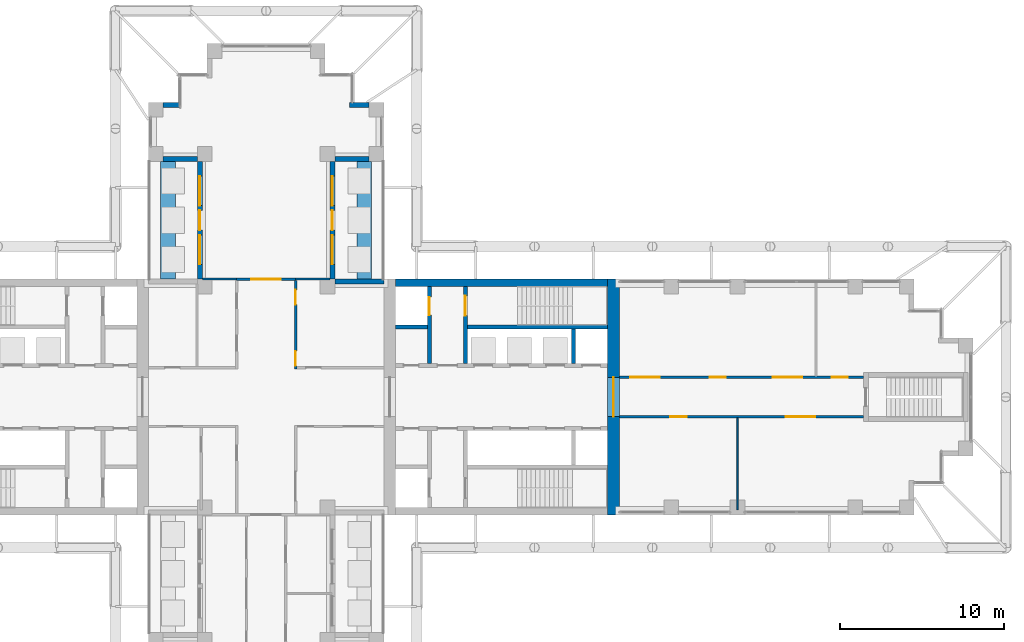
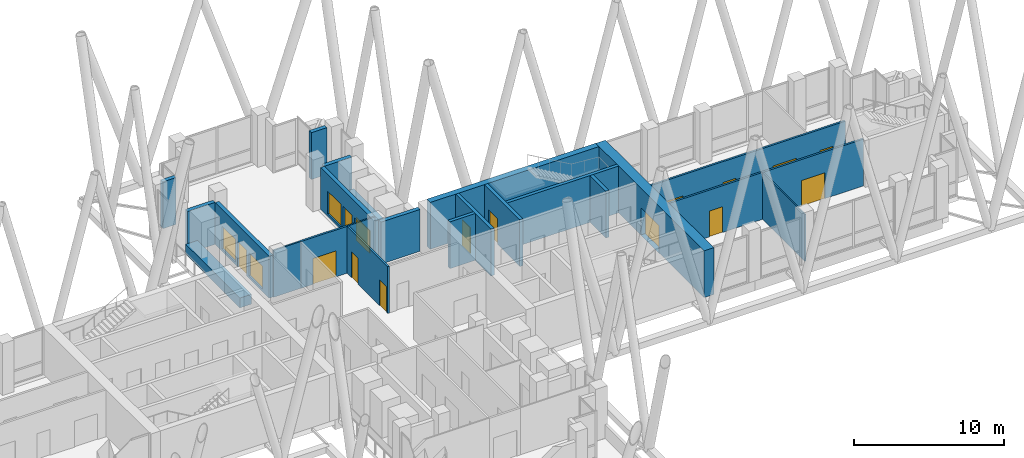
# One storey, part 17 of 22: 23 walls, 14 doors, 4 windows, 18 openings.
"""IFC4 building model written with IfcOpenShell, lengths in metres."""

from ifc_helpers import new_model, si_unit, direction, frame, frame_2d, origin, place, context, subcontext, project, spatial, rectangle, extrude, material, layer, layer_set, type_object, element, fill, save


model = new_model("IFC4")

# Units and contexts
model_context = context("Model", 3, precision=1e-05, world=origin(), true_north=direction((0.0, 1.0)))
body_context = subcontext(model_context, "Body", "Model", "MODEL_VIEW")
ifc_project = project(units=[si_unit("LENGTHUNIT", "METRE"), si_unit("AREAUNIT", "SQUARE_METRE"), si_unit("VOLUMEUNIT", "CUBIC_METRE"), si_unit("PLANEANGLEUNIT", "RADIAN"), si_unit("MASSUNIT", "GRAM", prefix="KILO")], contexts=[model_context])

# Site, building, storey
site_placement = place(None, origin())
site = spatial("IfcSite", under=ifc_project, at=site_placement, CompositionType="ELEMENT")
building_placement = place(site_placement, origin())
building = spatial("IfcBuilding", under=site, at=building_placement, Name="Fustian Cross Tower", CompositionType="ELEMENT")
storey_placement = place(building_placement, frame((0.0, 0.0, 116.10009765625)))
storey = spatial("IfcBuildingStorey", under=building, at=storey_placement, Name="L36", CompositionType="ELEMENT", Elevation=116.10009765625)

# Wall, opening, door
ifc_material_1 = material(Name="Plasterboard on steel stud", Category="steel")
ifc_layer_1 = layer(ifc_material_1, 0.14990234375)
ifc_layer_set_1 = layer_set([ifc_layer_1], Name="Plasterboard on steel stud")
wall_type_1 = type_object("IfcWallType", Name="COMPARTMENT WALL 150 EI 60", PredefinedType="PARTITIONING", material=ifc_layer_set_1)
wall_1_placement = place(storey_placement, frame((-1.800048828125, 7.199951171875, 0.0), z_axis=(0.0, 0.0, 1.0), x_axis=(1.0, 0.0, 0.0)))
wall_1 = element("IfcWall", 1, at=wall_1_placement, inside=storey, type_object=wall_type_1, Name="Partition 14", PredefinedType="PARTITIONING", context=body_context, shape_type="SweptSolid", body=[
    extrude(rectangle(XDim=3.60009765625, YDim=0.14990234375, at=frame_2d((1.800048828125, 0.0))), origin(), (0.0, 0.0, 1.0), 3.7998046875),
])
opening_1_placement = place(wall_1_placement, frame((0.89990234375, 0.0, 0.0)))
opening_1 = element("IfcOpeningElement", 2, at=opening_1_placement, cuts=wall_1, Name="Opening D17013", PredefinedType="OPENING", context=body_context, shape_type="SweptSolid", body=[
    extrude(rectangle(XDim=1.800048828125, YDim=2.10009765625, at=frame_2d((0.89990234375, 1.050048828125))), frame((0.0, 0.0849609375, 0.0), z_axis=(0.0, -1.0, 0.0), x_axis=(1.0, 0.0, 0.0)), (0.0, 0.0, 1.0), 0.169921875),
])
ifc_material_2 = material(Name="Timber fire door set", Category="wood")
door_type_1 = type_object("IfcDoorType", Name="FIRE DOUBLE DOOR 1800 FD30S", OperationType="DOUBLE_DOOR_DOUBLE_SWING", PredefinedType="DOOR", material=ifc_material_2)
door_1_placement = place(opening_1_placement, frame((1.800048828125, 0.0, 0.0), z_axis=(0.0, 0.0, 1.0), x_axis=(-1.0, 0.0, 0.0)))
door_1 = element("IfcDoor", 3, at=door_1_placement, inside=storey, type_object=door_type_1, Name="Door D17013", OperationType="DOUBLE_DOOR_DOUBLE_SWING", OverallHeight=2.10009765625, OverallWidth=1.800048828125, PredefinedType="DOOR", context=body_context, shape_type="SweptSolid", body=[
    extrude(rectangle(XDim=1.800048828125, YDim=2.10009765625, at=frame_2d((0.89990234375, 1.050048828125))), frame((0.0, 0.02490234375, 0.0), z_axis=(0.0, -1.0, 0.0), x_axis=(1.0, 0.0, 0.0)), (0.0, 0.0, 1.0), 0.050048828125),
])
fill(opening_1, door_1)

# Wall, openings, doors
wall_2_placement = place(storey_placement, frame((1.800048828125, 1.72509765625, 0.0), z_axis=(0.0, 0.0, 1.0), x_axis=(0.0, 1.0, 0.0)))
wall_2 = element("IfcWall", 4, at=wall_2_placement, inside=storey, type_object=wall_type_1, Name="Partition 23", PredefinedType="PARTITIONING", context=body_context, shape_type="SweptSolid", body=[
    extrude(rectangle(XDim=5.39990234375, YDim=0.14990234375, at=frame_2d((2.699951171875, 0.0))), origin(), (0.0, 0.0, 1.0), 3.7998046875),
])
opening_2_placement = place(wall_2_placement, frame((0.175048828125, 0.0, 0.0)))
opening_2 = element("IfcOpeningElement", 5, at=opening_2_placement, cuts=wall_2, Name="Opening D17001", PredefinedType="OPENING", context=body_context, shape_type="SweptSolid", body=[
    extrude(rectangle(XDim=0.89990234375, YDim=2.10009765625, at=frame_2d((0.449951171875, 1.050048828125))), frame((0.0, 0.0849609375, 0.0), z_axis=(0.0, -1.0, 0.0), x_axis=(1.0, 0.0, 0.0)), (0.0, 0.0, 1.0), 0.169921875),
])
opening_3_placement = place(wall_2_placement, frame((3.925048828125, 0.0, 0.0)))
opening_3 = element("IfcOpeningElement", 6, at=opening_3_placement, cuts=wall_2, Name="Opening D17002", PredefinedType="OPENING", context=body_context, shape_type="SweptSolid", body=[
    extrude(rectangle(XDim=0.89990234375, YDim=2.10009765625, at=frame_2d((0.449951171875, 1.050048828125))), frame((0.0, 0.0849609375, 0.0), z_axis=(0.0, -1.0, 0.0), x_axis=(1.0, 0.0, 0.0)), (0.0, 0.0, 1.0), 0.169921875),
])
ifc_material_3 = material(Name="Timber fire door set", Category="wood")
door_type_2 = type_object("IfcDoorType", Name="FIRE SWING DOOR 900 FD30S", OperationType="SINGLE_SWING_LEFT", PredefinedType="DOOR", material=ifc_material_3)
door_2_placement = place(opening_2_placement, frame((0.89990234375, 0.0, 0.0), z_axis=(0.0, 0.0, 1.0), x_axis=(-1.0, 0.0, 0.0)))
door_2 = element("IfcDoor", 7, at=door_2_placement, inside=storey, type_object=door_type_2, Name="Door D17001", OperationType="SINGLE_SWING_RIGHT", OverallHeight=2.10009765625, OverallWidth=0.89990234375, PredefinedType="DOOR", context=body_context, shape_type="SweptSolid", body=[
    extrude(rectangle(XDim=0.89990234375, YDim=2.10009765625, at=frame_2d((0.449951171875, 1.050048828125))), frame((0.0, 0.02490234375, 0.0), z_axis=(0.0, -1.0, 0.0), x_axis=(1.0, 0.0, 0.0)), (0.0, 0.0, 1.0), 0.050048828125),
])
fill(opening_2, door_2)
door_3_placement = place(opening_3_placement, frame((0.89990234375, 0.0, 0.0), z_axis=(0.0, 0.0, 1.0), x_axis=(-1.0, 0.0, 0.0)))
door_3 = element("IfcDoor", 8, at=door_3_placement, inside=storey, type_object=door_type_2, Name="Door D17002", OperationType="SINGLE_SWING_LEFT", OverallHeight=2.10009765625, OverallWidth=0.89990234375, PredefinedType="DOOR", context=body_context, shape_type="SweptSolid", body=[
    extrude(rectangle(XDim=0.89990234375, YDim=2.10009765625, at=frame_2d((0.449951171875, 1.050048828125))), frame((0.0, 0.02490234375, 0.0), z_axis=(0.0, -1.0, 0.0), x_axis=(1.0, 0.0, 0.0)), (0.0, 0.0, 1.0), 0.050048828125),
])
fill(opening_3, door_3)

wall_3_placement = place(storey_placement, frame((21.60009765625, -1.199951171875, 0.0), z_axis=(0.0, 0.0, 1.0), x_axis=(1.0, 0.0, 0.0)))
wall_3 = element("IfcWall", 9, at=wall_3_placement, inside=storey, type_object=wall_type_1, Name="Partition 26", PredefinedType="PARTITIONING", context=body_context, shape_type="SweptSolid", body=[
    extrude(rectangle(XDim=14.89990234375, YDim=0.14990234375, at=frame_2d((7.449951171875, 0.0))), origin(), (0.0, 0.0, 1.0), 3.7998046875),
])
opening_4_placement = place(wall_3_placement, frame((3.10009765625, 0.0, 0.0)))
opening_4 = element("IfcOpeningElement", 10, at=opening_4_placement, cuts=wall_3, Name="Opening D17025", PredefinedType="OPENING", context=body_context, shape_type="SweptSolid", body=[
    extrude(rectangle(XDim=1.0, YDim=2.10009765625, at=frame_2d((0.5, 1.050048828125))), frame((0.0, 0.0849609375, 0.0), z_axis=(0.0, -1.0, 0.0), x_axis=(1.0, 0.0, 0.0)), (0.0, 0.0, 1.0), 0.169921875),
])
opening_5_placement = place(wall_3_placement, frame((10.14990234375, 0.0, 0.0)))
opening_5 = element("IfcOpeningElement", 11, at=opening_5_placement, cuts=wall_3, Name="Opening D17026", PredefinedType="OPENING", context=body_context, shape_type="SweptSolid", body=[
    extrude(rectangle(XDim=1.800048828125, YDim=2.10009765625, at=frame_2d((0.89990234375, 1.050048828125))), frame((0.0, 0.0849609375, 0.0), z_axis=(0.0, -1.0, 0.0), x_axis=(1.0, 0.0, 0.0)), (0.0, 0.0, 1.0), 0.169921875),
])
door_4_placement = place(opening_5_placement, origin())
door_4 = element("IfcDoor", 12, at=door_4_placement, inside=storey, type_object=door_type_1, Name="Door D17026", OperationType="DOUBLE_DOOR_DOUBLE_SWING", OverallHeight=2.10009765625, OverallWidth=1.800048828125, PredefinedType="DOOR", context=body_context, shape_type="SweptSolid", body=[
    extrude(rectangle(XDim=1.800048828125, YDim=2.10009765625, at=frame_2d((0.89990234375, 1.050048828125))), frame((0.0, 0.02490234375, 0.0), z_axis=(0.0, -1.0, 0.0), x_axis=(1.0, 0.0, 0.0)), (0.0, 0.0, 1.0), 0.050048828125),
])
fill(opening_5, door_4)
ifc_material_4 = material(Name="Timber fire door set", Category="wood")
door_type_3 = type_object("IfcDoorType", Name="FIRE SWING DOOR 1000 FD30S", OperationType="SINGLE_SWING_LEFT", PredefinedType="DOOR", material=ifc_material_4)
door_5_placement = place(opening_4_placement, frame((1.0, 0.0, 0.0), z_axis=(0.0, 0.0, 1.0), x_axis=(-1.0, 0.0, 0.0)))
door_5 = element("IfcDoor", 13, at=door_5_placement, inside=storey, type_object=door_type_3, Name="Door D17025", OperationType="SINGLE_SWING_RIGHT", OverallHeight=2.10009765625, OverallWidth=1.0, PredefinedType="DOOR", context=body_context, shape_type="SweptSolid", body=[
    extrude(rectangle(XDim=1.0, YDim=2.10009765625, at=frame_2d((0.5, 1.050048828125))), frame((0.0, 0.02490234375, 0.0), z_axis=(0.0, -1.0, 0.0), x_axis=(1.0, 0.0, 0.0)), (0.0, 0.0, 1.0), 0.050048828125),
])
fill(opening_4, door_5)

wall_4_placement = place(storey_placement, frame((21.60009765625, 1.199951171875, 0.0), z_axis=(0.0, 0.0, 1.0), x_axis=(1.0, 0.0, 0.0)))
wall_4 = element("IfcWall", 14, at=wall_4_placement, inside=storey, type_object=wall_type_1, Name="Partition 27", PredefinedType="PARTITIONING", context=body_context, shape_type="SweptSolid", body=[
    extrude(rectangle(XDim=14.89990234375, YDim=0.14990234375, at=frame_2d((7.449951171875, 0.0))), origin(), (0.0, 0.0, 1.0), 3.7998046875),
])
opening_6_placement = place(wall_4_placement, frame((0.64990234375, 0.0, 0.0)))
opening_6 = element("IfcOpeningElement", 15, at=opening_6_placement, cuts=wall_4, Name="Opening D17021", PredefinedType="OPENING", context=body_context, shape_type="SweptSolid", body=[
    extrude(rectangle(XDim=1.800048828125, YDim=2.10009765625, at=frame_2d((0.89990234375, 1.050048828125))), frame((0.0, 0.0849609375, 0.0), z_axis=(0.0, -1.0, 0.0), x_axis=(1.0, 0.0, 0.0)), (0.0, 0.0, 1.0), 0.169921875),
])
opening_7_placement = place(wall_4_placement, frame((5.5, 0.0, 0.0)))
opening_7 = element("IfcOpeningElement", 16, at=opening_7_placement, cuts=wall_4, Name="Opening D17022", PredefinedType="OPENING", context=body_context, shape_type="SweptSolid", body=[
    extrude(rectangle(XDim=1.0, YDim=2.10009765625, at=frame_2d((0.5, 1.050048828125))), frame((0.0, 0.0849609375, 0.0), z_axis=(0.0, -1.0, 0.0), x_axis=(1.0, 0.0, 0.0)), (0.0, 0.0, 1.0), 0.169921875),
])
opening_8_placement = place(wall_4_placement, frame((9.35009765625, 0.0, 0.0)))
opening_8 = element("IfcOpeningElement", 17, at=opening_8_placement, cuts=wall_4, Name="Opening D17023", PredefinedType="OPENING", context=body_context, shape_type="SweptSolid", body=[
    extrude(rectangle(XDim=1.800048828125, YDim=2.10009765625, at=frame_2d((0.89990234375, 1.050048828125))), frame((0.0, 0.0849609375, 0.0), z_axis=(0.0, -1.0, 0.0), x_axis=(1.0, 0.0, 0.0)), (0.0, 0.0, 1.0), 0.169921875),
])
opening_9_placement = place(wall_4_placement, frame((12.949951171875, 0.0, 0.0)))
opening_9 = element("IfcOpeningElement", 18, at=opening_9_placement, cuts=wall_4, Name="Opening D17024", PredefinedType="OPENING", context=body_context, shape_type="SweptSolid", body=[
    extrude(rectangle(XDim=1.0, YDim=2.10009765625, at=frame_2d((0.5, 1.050048828125))), frame((0.0, 0.0849609375, 0.0), z_axis=(0.0, -1.0, 0.0), x_axis=(1.0, 0.0, 0.0)), (0.0, 0.0, 1.0), 0.169921875),
])
door_6_placement = place(opening_6_placement, frame((1.800048828125, 0.0, 0.0), z_axis=(0.0, 0.0, 1.0), x_axis=(-1.0, 0.0, 0.0)))
door_6 = element("IfcDoor", 19, at=door_6_placement, inside=storey, type_object=door_type_1, Name="Door D17021", OperationType="DOUBLE_DOOR_DOUBLE_SWING", OverallHeight=2.10009765625, OverallWidth=1.800048828125, PredefinedType="DOOR", context=body_context, shape_type="SweptSolid", body=[
    extrude(rectangle(XDim=1.800048828125, YDim=2.10009765625, at=frame_2d((0.89990234375, 1.050048828125))), frame((0.0, 0.02490234375, 0.0), z_axis=(0.0, -1.0, 0.0), x_axis=(1.0, 0.0, 0.0)), (0.0, 0.0, 1.0), 0.050048828125),
])
fill(opening_6, door_6)
door_7_placement = place(opening_8_placement, frame((1.800048828125, 0.0, 0.0), z_axis=(0.0, 0.0, 1.0), x_axis=(-1.0, 0.0, 0.0)))
door_7 = element("IfcDoor", 20, at=door_7_placement, inside=storey, type_object=door_type_1, Name="Door D17023", OperationType="DOUBLE_DOOR_DOUBLE_SWING", OverallHeight=2.10009765625, OverallWidth=1.800048828125, PredefinedType="DOOR", context=body_context, shape_type="SweptSolid", body=[
    extrude(rectangle(XDim=1.800048828125, YDim=2.10009765625, at=frame_2d((0.89990234375, 1.050048828125))), frame((0.0, 0.02490234375, 0.0), z_axis=(0.0, -1.0, 0.0), x_axis=(1.0, 0.0, 0.0)), (0.0, 0.0, 1.0), 0.050048828125),
])
fill(opening_8, door_7)
door_8_placement = place(opening_7_placement, origin())
door_8 = element("IfcDoor", 21, at=door_8_placement, inside=storey, type_object=door_type_3, Name="Door D17022", OperationType="SINGLE_SWING_LEFT", OverallHeight=2.10009765625, OverallWidth=1.0, PredefinedType="DOOR", context=body_context, shape_type="SweptSolid", body=[
    extrude(rectangle(XDim=1.0, YDim=2.10009765625, at=frame_2d((0.5, 1.050048828125))), frame((0.0, 0.02490234375, 0.0), z_axis=(0.0, -1.0, 0.0), x_axis=(1.0, 0.0, 0.0)), (0.0, 0.0, 1.0), 0.050048828125),
])
fill(opening_7, door_8)
door_9_placement = place(opening_9_placement, origin())
door_9 = element("IfcDoor", 22, at=door_9_placement, inside=storey, type_object=door_type_3, Name="Door D17024", OperationType="SINGLE_SWING_LEFT", OverallHeight=2.10009765625, OverallWidth=1.0, PredefinedType="DOOR", context=body_context, shape_type="SweptSolid", body=[
    extrude(rectangle(XDim=1.0, YDim=2.10009765625, at=frame_2d((0.5, 1.050048828125))), frame((0.0, 0.02490234375, 0.0), z_axis=(0.0, -1.0, 0.0), x_axis=(1.0, 0.0, 0.0)), (0.0, 0.0, 1.0), 0.050048828125),
])
fill(opening_9, door_9)

# Wall, opening, door
ifc_material_5 = material(Name="Concrete C60/75", Category="concrete")
ifc_layer_2 = layer(ifc_material_5, 0.75)
ifc_layer_set_2 = layer_set([ifc_layer_2], Name="Concrete C60/75")
wall_type_2 = type_object("IfcWallType", Name="CORE END WALL 750 C60/75", PredefinedType="SHEAR", material=ifc_layer_set_2)
wall_5_placement = place(storey_placement, frame((21.22509765625, -7.199951171875, 0.0), z_axis=(0.0, 0.0, 1.0), x_axis=(0.0, 1.0, 0.0)))
wall_5 = element("IfcWall", 23, at=wall_5_placement, inside=storey, type_object=wall_type_2, Name="Core end wall", PredefinedType="SHEAR", context=body_context, shape_type="SweptSolid", body=[
    extrude(rectangle(XDim=14.39990234375, YDim=0.75, at=frame_2d((7.199951171875, 0.0))), origin(), (0.0, 0.0, 1.0), 3.7998046875),
])
opening_10_placement = place(wall_5_placement, frame((6.0, 0.0, 0.0)))
opening_10 = element("IfcOpeningElement", 24, at=opening_10_placement, cuts=wall_5, Name="Opening CD-14-18", PredefinedType="OPENING", context=body_context, shape_type="SweptSolid", body=[
    extrude(rectangle(XDim=2.39990234375, YDim=2.199951171875, at=frame_2d((1.199951171875, 1.10009765625))), frame((0.0, 0.385009765625, 0.0), z_axis=(0.0, -1.0, 0.0), x_axis=(1.0, 0.0, 0.0)), (0.0, 0.0, 1.0), 0.77001953125),
])
ifc_material_6 = material(Name="Steel", Category="steel")
door_type_4 = type_object("IfcDoorType", Name="FIRE DOOR FD30S DOUBLE 2400X2200", OperationType="DOUBLE_DOOR_DOUBLE_SWING", PredefinedType="DOOR", material=ifc_material_6)
door_10_placement = place(opening_10_placement, origin())
door_10 = element("IfcDoor", 25, at=door_10_placement, inside=storey, type_object=door_type_4, Name="Core door CD-14-18", OperationType="DOUBLE_DOOR_DOUBLE_SWING", OverallHeight=2.199951171875, OverallWidth=2.39990234375, PredefinedType="DOOR", context=body_context, shape_type="SweptSolid", body=[
    extrude(rectangle(XDim=2.39990234375, YDim=2.199951171875, at=frame_2d((1.199951171875, 1.10009765625))), frame((0.0, 0.02490234375, 0.0), z_axis=(0.0, -1.0, 0.0), x_axis=(1.0, 0.0, 0.0)), (0.0, 0.0, 1.0), 0.050048828125),
])
fill(opening_10, door_10)

# Walls
ifc_material_7 = material(Name="Concrete C60/75", Category="concrete")
ifc_layer_3 = layer(ifc_material_7, 0.449951171875)
ifc_layer_set_3 = layer_set([ifc_layer_3], Name="Concrete C60/75")
wall_type_3 = type_object("IfcWallType", Name="CORE FACADE WALL 450 C60/75", PredefinedType="SHEAR", material=ifc_layer_set_3)
wall_6_placement = place(storey_placement, frame((7.89990234375, 6.97509765625, 0.0), z_axis=(0.0, 0.0, 1.0), x_axis=(1.0, 0.0, 0.0)))
element("IfcWall", 26, at=wall_6_placement, inside=storey, type_object=wall_type_3, Name="Core facade wall", PredefinedType="SHEAR", context=body_context, shape_type="SweptSolid", body=[
    extrude(rectangle(XDim=12.9501953125, YDim=0.449951171875, at=frame_2d((6.47509765625, 0.0))), origin(), (0.0, 0.0, 1.0), 3.7998046875),
])
ifc_material_8 = material(Name="Concrete C50/60", Category="concrete")
ifc_layer_4 = layer(ifc_material_8, 0.25)
ifc_layer_set_4 = layer_set([ifc_layer_4], Name="Concrete C50/60")
wall_type_4 = type_object("IfcWallType", Name="CORE SHAFT WALL 250 C50/60", PredefinedType="SHEAR", material=ifc_layer_set_4)
wall_7_placement = place(storey_placement, frame((7.89990234375, 4.27490234375, 0.0), z_axis=(0.0, 0.0, 1.0), x_axis=(1.0, 0.0, 0.0)))
element("IfcWall", 27, at=wall_7_placement, inside=storey, type_object=wall_type_4, Name="Core shaft wall", PredefinedType="SHEAR", context=body_context, shape_type="SweptSolid", body=[
    extrude(rectangle(XDim=1.9501953125, YDim=0.25, at=frame_2d((0.97509765625, 0.0))), origin(), (0.0, 0.0, 1.0), 3.7998046875),
])
wall_8_placement = place(storey_placement, frame((12.300048828125, 4.27490234375, 0.0), z_axis=(0.0, 0.0, 1.0), x_axis=(1.0, 0.0, 0.0)))
element("IfcWall", 28, at=wall_8_placement, inside=storey, type_object=wall_type_4, Name="Core shaft wall", PredefinedType="SHEAR", context=body_context, shape_type="SweptSolid", body=[
    extrude(rectangle(XDim=8.550048828125, YDim=0.25, at=frame_2d((4.27490234375, 0.0))), origin(), (0.0, 0.0, 1.0), 3.7998046875),
])

# Wall, opening, door
wall_9_placement = place(storey_placement, frame((9.97509765625, 2.050048828125, 0.0), z_axis=(0.0, 0.0, 1.0), x_axis=(0.0, 1.0, 0.0)))
wall_9 = element("IfcWall", 29, at=wall_9_placement, inside=storey, type_object=wall_type_4, Name="Core shaft wall", PredefinedType="SHEAR", context=body_context, shape_type="SweptSolid", body=[
    extrude(rectangle(XDim=4.699951171875, YDim=0.25, at=frame_2d((2.35009765625, 0.0))), origin(), (0.0, 0.0, 1.0), 3.7998046875),
])
opening_11_placement = place(wall_9_placement, frame((2.949951171875, 0.0, 0.0)))
opening_11 = element("IfcOpeningElement", 30, at=opening_11_placement, cuts=wall_9, Name="Opening LD", PredefinedType="OPENING", context=body_context, shape_type="SweptSolid", body=[
    extrude(rectangle(XDim=1.10009765625, YDim=2.10009765625, at=frame_2d((0.550048828125, 1.050048828125))), frame((0.0, 0.135009765625, 0.0), z_axis=(0.0, -1.0, 0.0), x_axis=(1.0, 0.0, 0.0)), (0.0, 0.0, 1.0), 0.27001953125),
])
ifc_material_9 = material(Name="Stainless steel", Category="steel")
door_type_5 = type_object("IfcDoorType", Name="LIFT LANDING DOOR 1100X2100", OperationType="SLIDING_TO_LEFT", PredefinedType="DOOR", material=ifc_material_9)
door_11_placement = place(opening_11_placement, origin())
door_11 = element("IfcDoor", 31, at=door_11_placement, inside=storey, type_object=door_type_5, Name="Landing door FL1", OperationType="SLIDING_TO_LEFT", OverallHeight=2.10009765625, OverallWidth=1.10009765625, PredefinedType="DOOR", context=body_context, shape_type="SweptSolid", body=[
    extrude(rectangle(XDim=1.10009765625, YDim=2.10009765625, at=frame_2d((0.550048828125, 1.050048828125))), frame((0.0, 0.02490234375, 0.0), z_axis=(0.0, -1.0, 0.0), x_axis=(1.0, 0.0, 0.0)), (0.0, 0.0, 1.0), 0.050048828125),
])
fill(opening_11, door_11)

wall_10_placement = place(storey_placement, frame((12.175048828125, 2.050048828125, 0.0), z_axis=(0.0, 0.0, 1.0), x_axis=(0.0, 1.0, 0.0)))
wall_10 = element("IfcWall", 32, at=wall_10_placement, inside=storey, type_object=wall_type_4, Name="Core shaft wall", PredefinedType="SHEAR", context=body_context, shape_type="SweptSolid", body=[
    extrude(rectangle(XDim=4.699951171875, YDim=0.25, at=frame_2d((2.35009765625, 0.0))), origin(), (0.0, 0.0, 1.0), 3.7998046875),
])
opening_12_placement = place(wall_10_placement, frame((2.925048828125, 0.0, 0.0)))
opening_12 = element("IfcOpeningElement", 33, at=opening_12_placement, cuts=wall_10, Name="Opening CD-14-11", PredefinedType="OPENING", context=body_context, shape_type="SweptSolid", body=[
    extrude(rectangle(XDim=1.199951171875, YDim=2.10009765625, at=frame_2d((0.60009765625, 1.050048828125))), frame((0.0, 0.135009765625, 0.0), z_axis=(0.0, -1.0, 0.0), x_axis=(1.0, 0.0, 0.0)), (0.0, 0.0, 1.0), 0.27001953125),
])
ifc_material_10 = material(Name="Steel", Category="steel")
door_type_6 = type_object("IfcDoorType", Name="FIRE DOOR FD60S 1200X2100", OperationType="SINGLE_SWING_LEFT", PredefinedType="DOOR", material=ifc_material_10)
door_12_placement = place(opening_12_placement, frame((1.199951171875, 0.0, 0.0), z_axis=(0.0, 0.0, 1.0), x_axis=(-1.0, 0.0, 0.0)))
door_12 = element("IfcDoor", 34, at=door_12_placement, inside=storey, type_object=door_type_6, Name="Core door CD-14-11", OperationType="SINGLE_SWING_RIGHT", OverallHeight=2.10009765625, OverallWidth=1.199951171875, PredefinedType="DOOR", context=body_context, shape_type="SweptSolid", body=[
    extrude(rectangle(XDim=1.199951171875, YDim=2.10009765625, at=frame_2d((0.60009765625, 1.050048828125))), frame((0.0, 0.02490234375, 0.0), z_axis=(0.0, -1.0, 0.0), x_axis=(1.0, 0.0, 0.0)), (0.0, 0.0, 1.0), 0.050048828125),
])
fill(opening_12, door_12)

# Walls
ifc_material_11 = material(Name="Plasterboard on steel stud", Category="steel")
ifc_layer_5 = layer(ifc_material_11, 0.10009765625)
ifc_layer_set_5 = layer_set([ifc_layer_5], Name="Plasterboard on steel stud")
wall_type_5 = type_object("IfcWallType", Name="PARTITION 100 STUD", PredefinedType="PARTITIONING", material=ifc_layer_set_5)
wall_11_placement = place(storey_placement, frame((28.800048828125, -6.89990234375, 0.0), z_axis=(0.0, 0.0, 1.0), x_axis=(0.0, 1.0, 0.0)))
element("IfcWall", 35, at=wall_11_placement, inside=storey, type_object=wall_type_5, Name="Partition 28", PredefinedType="PARTITIONING", context=body_context, shape_type="SweptSolid", body=[
    extrude(rectangle(XDim=5.625, YDim=0.10009765625, at=frame_2d((2.8125, 0.0))), origin(), (0.0, 0.0, 1.0), 3.7998046875),
])
ifc_material_12 = material(Name="Concrete C40/50", Category="concrete")
ifc_layer_6 = layer(ifc_material_12, 0.89990234375)
ifc_layer_set_6 = layer_set([ifc_layer_6], Name="Concrete C40/50")
wall_type_6 = type_object("IfcWallType", Name="PK1 PLANTER 900", PredefinedType="PARAPET", material=ifc_layer_set_6)
for number, where, z_axis, x_axis, name in (
    (36, (6.0, 7.199951171875, 0.0), (0.0, 0.0, 1.0), (0.0, 1.0, 0.0), "PLANTER"),
    (37, (-6.0, 7.199951171875, 0.0), (0.0, 0.0, 1.0), (0.0, 1.0, 0.0), "PLANTER"),
):
    element("IfcWall", number, at=place(storey_placement, frame(where, z_axis=z_axis, x_axis=x_axis)), inside=storey, type_object=wall_type_6, Name=name, PredefinedType="PARAPET", context=body_context, shape_type="SweptSolid", body=[
        extrude(rectangle(XDim=7.199951171875, YDim=0.89990234375, at=frame_2d((3.60009765625, 0.0))), origin(), (0.0, 0.0, 1.0), 0.7998046875),
    ])
ifc_material_13 = material(Name="Concrete C40/50", Category="concrete")
ifc_layer_7 = layer(ifc_material_13, 0.25)
ifc_layer_set_7 = layer_set([ifc_layer_7], Name="Concrete C40/50")
wall_type_7 = type_object("IfcWallType", Name="SHAFT PARTITION WALL 250 C40/50", PredefinedType="PARTITIONING", material=ifc_layer_set_7)
wall_12_placement = place(storey_placement, frame((18.77490234375, 2.050048828125, 0.0), z_axis=(0.0, 0.0, 1.0), x_axis=(0.0, 1.0, 0.0)))
element("IfcWall", 38, at=wall_12_placement, inside=storey, type_object=wall_type_7, Name="Core shaft wall", PredefinedType="PARTITIONING", context=body_context, shape_type="SweptSolid", body=[
    extrude(rectangle(XDim=2.099853515625, YDim=0.25, at=frame_2d((1.0498046875, 0.0))), origin(), (0.0, 0.0, 1.0), 3.7998046875),
])
ifc_material_14 = material(Name="Plasterboard on steel stud", Category="steel")
ifc_layer_8 = layer(ifc_material_14, 0.125)
ifc_layer_set_8 = layer_set([ifc_layer_8], Name="Plasterboard on steel stud")
wall_type_8 = type_object("IfcWallType", Name="WET WALL 125 STUD", PredefinedType="PARTITIONING", material=ifc_layer_set_8)
for number, where, z_axis, x_axis, name in (
    (39, (-3.89990234375, 7.199951171875, 0.0), (0.0, 0.0, 1.0), (1.0, 0.0, 0.0), "Partition 11"),
    (40, (1.800048828125, 7.199951171875, 0.0), (0.0, 0.0, 1.0), (1.0, 0.0, 0.0), "Partition 25"),
):
    element("IfcWall", number, at=place(storey_placement, frame(where, z_axis=z_axis, x_axis=x_axis)), inside=storey, type_object=wall_type_8, Name=name, PredefinedType="PARTITIONING", context=body_context, shape_type="SweptSolid", body=[
        extrude(rectangle(XDim=2.099853515625, YDim=0.125, at=frame_2d((1.0498046875, 0.0))), origin(), (0.0, 0.0, 1.0), 3.7998046875),
    ])
ifc_material_15 = material(Name="Dark aluminium cladding on insulated backing wall", Category="aluminium")
ifc_layer_9 = layer(ifc_material_15, 0.300048828125)
ifc_layer_set_9 = layer_set([ifc_layer_9], Name="Dark aluminium cladding on insulated backing wall")
wall_type_9 = type_object("IfcWallType", Name="XW1 EXTERNAL WALL 300", PredefinedType="SOLIDWALL", material=ifc_layer_set_9)
wall_13_placement = place(storey_placement, frame((7.199951171875, 7.050048828125, 0.0), z_axis=(0.0, 0.0, 1.0), x_axis=(-1.0, 0.0, 0.0)))
element("IfcWall", 41, at=wall_13_placement, inside=storey, type_object=wall_type_9, Name="External wall", PredefinedType="SOLIDWALL", context=body_context, shape_type="SweptSolid", body=[
    extrude(rectangle(XDim=3.0, YDim=0.300048828125, at=frame_2d((1.5, 0.0))), origin(), (0.0, 0.0, 1.0), 3.39990234375),
])

# Wall, openings, door, windows
wall_14_placement = place(storey_placement, frame((4.050048828125, 7.199951171875, 0.0), z_axis=(0.0, 0.0, 1.0), x_axis=(0.0, 1.0, 0.0)))
wall_14 = element("IfcWall", 42, at=wall_14_placement, inside=storey, type_object=wall_type_9, Name="External wall", PredefinedType="SOLIDWALL", context=body_context, shape_type="SweptSolid", body=[
    extrude(rectangle(XDim=7.199951171875, YDim=0.300048828125, at=frame_2d((3.60009765625, 0.0))), origin(), (0.0, 0.0, 1.0), 3.39990234375),
])
opening_13_placement = place(wall_14_placement, frame((3.0, 0.0, 0.0)))
opening_13 = element("IfcOpeningElement", 43, at=opening_13_placement, cuts=wall_14, Name="Opening XD1", PredefinedType="OPENING", context=body_context, shape_type="SweptSolid", body=[
    extrude(rectangle(XDim=1.199951171875, YDim=2.050048828125, at=frame_2d((0.60009765625, 1.02490234375))), frame((0.0, 0.159912109375, 0.0), z_axis=(0.0, -1.0, 0.0), x_axis=(1.0, 0.0, 0.0)), (0.0, 0.0, 1.0), 0.320068359375),
])
opening_14_placement = place(wall_14_placement, frame((0.89990234375, 0.0, 0.199951171875)))
opening_14 = element("IfcOpeningElement", 44, at=opening_14_placement, cuts=wall_14, Name="Opening WN2", PredefinedType="OPENING", context=body_context, shape_type="SweptSolid", body=[
    extrude(rectangle(XDim=1.800048828125, YDim=1.85009765625, at=frame_2d((0.89990234375, 0.925048828125))), frame((0.0, 0.159912109375, 0.0), z_axis=(0.0, -1.0, 0.0), x_axis=(1.0, 0.0, 0.0)), (0.0, 0.0, 1.0), 0.320068359375),
])
opening_15_placement = place(wall_14_placement, frame((4.5, 0.0, 0.199951171875)))
opening_15 = element("IfcOpeningElement", 45, at=opening_15_placement, cuts=wall_14, Name="Opening WN2", PredefinedType="OPENING", context=body_context, shape_type="SweptSolid", body=[
    extrude(rectangle(XDim=1.800048828125, YDim=1.85009765625, at=frame_2d((0.89990234375, 0.925048828125))), frame((0.0, 0.159912109375, 0.0), z_axis=(0.0, -1.0, 0.0), x_axis=(1.0, 0.0, 0.0)), (0.0, 0.0, 1.0), 0.320068359375),
])
ifc_material_16 = material(Name="Dark anodised aluminium and double glazing", Category="aluminium")
door_type_7 = type_object("IfcDoorType", Name="ED1 BALCONY DOOR 1200X2050", OperationType="SINGLE_SWING_LEFT", PredefinedType="DOOR", material=ifc_material_16)
door_13_placement = place(opening_13_placement, origin())
door_13 = element("IfcDoor", 46, at=door_13_placement, inside=storey, type_object=door_type_7, Name="Balcony door", OperationType="SINGLE_SWING_LEFT", OverallHeight=2.050048828125, OverallWidth=1.199951171875, PredefinedType="DOOR", context=body_context, shape_type="SweptSolid", body=[
    extrude(rectangle(XDim=1.199951171875, YDim=2.050048828125, at=frame_2d((0.60009765625, 1.02490234375))), frame((0.0, 0.02490234375, 0.0), z_axis=(0.0, -1.0, 0.0), x_axis=(1.0, 0.0, 0.0)), (0.0, 0.0, 1.0), 0.050048828125),
])
fill(opening_13, door_13)
ifc_material_17 = material(Name="Dark anodised aluminium and double glazing", Category="aluminium")
window_type = type_object("IfcWindowType", Name="WN2 WINDOW 1800X1850", PartitioningType="SINGLE_PANEL", PredefinedType="WINDOW", material=ifc_material_17)
window_1_placement = place(opening_14_placement, origin())
window_1 = element("IfcWindow", 47, at=window_1_placement, inside=storey, type_object=window_type, Name="Window", OverallHeight=1.85009765625, OverallWidth=1.800048828125, PartitioningType="SINGLE_PANEL", PredefinedType="WINDOW", context=body_context, shape_type="SweptSolid", body=[
    extrude(rectangle(XDim=1.800048828125, YDim=1.85009765625, at=frame_2d((0.89990234375, 0.925048828125))), frame((0.0, 0.030029296875, 0.0), z_axis=(0.0, -1.0, 0.0), x_axis=(1.0, 0.0, 0.0)), (0.0, 0.0, 1.0), 0.06005859375),
])
fill(opening_14, window_1)
window_2_placement = place(opening_15_placement, origin())
window_2 = element("IfcWindow", 48, at=window_2_placement, inside=storey, type_object=window_type, Name="Window", OverallHeight=1.85009765625, OverallWidth=1.800048828125, PartitioningType="SINGLE_PANEL", PredefinedType="WINDOW", context=body_context, shape_type="SweptSolid", body=[
    extrude(rectangle(XDim=1.800048828125, YDim=1.85009765625, at=frame_2d((0.89990234375, 0.925048828125))), frame((0.0, 0.030029296875, 0.0), z_axis=(0.0, -1.0, 0.0), x_axis=(1.0, 0.0, 0.0)), (0.0, 0.0, 1.0), 0.06005859375),
])
fill(opening_15, window_2)

# Walls
wall_15_placement = place(storey_placement, frame((4.199951171875, 14.550048828125, 0.0), z_axis=(0.0, 0.0, 1.0), x_axis=(1.0, 0.0, 0.0)))
element("IfcWall", 49, at=wall_15_placement, inside=storey, type_object=wall_type_9, Name="External wall", PredefinedType="SOLIDWALL", context=body_context, shape_type="SweptSolid", body=[
    extrude(rectangle(XDim=2.10009765625, YDim=0.300048828125, at=frame_2d((1.050048828125, 0.0))), origin(), (0.0, 0.0, 1.0), 3.39990234375),
])
wall_16_placement = place(storey_placement, frame((6.300048828125, 17.85009765625, 0.0), z_axis=(0.0, 0.0, 1.0), x_axis=(-1.0, 0.0, 0.0)))
element("IfcWall", 50, at=wall_16_placement, inside=storey, type_object=wall_type_9, Name="External wall", PredefinedType="SOLIDWALL", context=body_context, shape_type="SweptSolid", body=[
    extrude(rectangle(XDim=1.199951171875, YDim=0.300048828125, at=frame_2d((0.60009765625, 0.0))), origin(), (0.0, 0.0, 1.0), 3.7998046875),
])
wall_17_placement = place(storey_placement, frame((-5.280029296875, 17.85009765625, 0.0), z_axis=(0.0, 0.0, 1.0), x_axis=(-1.0, 0.0, 0.0)))
element("IfcWall", 51, at=wall_17_placement, inside=storey, type_object=wall_type_9, Name="External wall", PredefinedType="SOLIDWALL", context=body_context, shape_type="SweptSolid", body=[
    extrude(rectangle(XDim=1.02001953125, YDim=0.300048828125, at=frame_2d((0.510009765625, 0.0))), origin(), (0.0, 0.0, 1.0), 3.7998046875),
])
wall_18_placement = place(storey_placement, frame((-6.300048828125, 14.550048828125, 0.0), z_axis=(0.0, 0.0, 1.0), x_axis=(1.0, 0.0, 0.0)))
element("IfcWall", 52, at=wall_18_placement, inside=storey, type_object=wall_type_9, Name="External wall", PredefinedType="SOLIDWALL", context=body_context, shape_type="SweptSolid", body=[
    extrude(rectangle(XDim=2.10009765625, YDim=0.300048828125, at=frame_2d((1.050048828125, 0.0))), origin(), (0.0, 0.0, 1.0), 3.39990234375),
])

# Wall, openings, door, windows
wall_19_placement = place(storey_placement, frame((-4.050048828125, 14.39990234375, 0.0), z_axis=(0.0, 0.0, 1.0), x_axis=(0.0, -1.0, 0.0)))
wall_19 = element("IfcWall", 53, at=wall_19_placement, inside=storey, type_object=wall_type_9, Name="External wall", PredefinedType="SOLIDWALL", context=body_context, shape_type="SweptSolid", body=[
    extrude(rectangle(XDim=7.199951171875, YDim=0.300048828125, at=frame_2d((3.60009765625, 0.0))), origin(), (0.0, 0.0, 1.0), 3.39990234375),
])
opening_16_placement = place(wall_19_placement, frame((3.0, 0.0, 0.0)))
opening_16 = element("IfcOpeningElement", 54, at=opening_16_placement, cuts=wall_19, Name="Opening XD2", PredefinedType="OPENING", context=body_context, shape_type="SweptSolid", body=[
    extrude(rectangle(XDim=1.199951171875, YDim=2.050048828125, at=frame_2d((0.60009765625, 1.02490234375))), frame((0.0, 0.159912109375, 0.0), z_axis=(0.0, -1.0, 0.0), x_axis=(1.0, 0.0, 0.0)), (0.0, 0.0, 1.0), 0.320068359375),
])
opening_17_placement = place(wall_19_placement, frame((0.89990234375, 0.0, 0.199951171875)))
opening_17 = element("IfcOpeningElement", 55, at=opening_17_placement, cuts=wall_19, Name="Opening WN2", PredefinedType="OPENING", context=body_context, shape_type="SweptSolid", body=[
    extrude(rectangle(XDim=1.800048828125, YDim=1.85009765625, at=frame_2d((0.89990234375, 0.925048828125))), frame((0.0, 0.159912109375, 0.0), z_axis=(0.0, -1.0, 0.0), x_axis=(1.0, 0.0, 0.0)), (0.0, 0.0, 1.0), 0.320068359375),
])
opening_18_placement = place(wall_19_placement, frame((4.5, 0.0, 0.199951171875)))
opening_18 = element("IfcOpeningElement", 56, at=opening_18_placement, cuts=wall_19, Name="Opening WN2", PredefinedType="OPENING", context=body_context, shape_type="SweptSolid", body=[
    extrude(rectangle(XDim=1.800048828125, YDim=1.85009765625, at=frame_2d((0.89990234375, 0.925048828125))), frame((0.0, 0.159912109375, 0.0), z_axis=(0.0, -1.0, 0.0), x_axis=(1.0, 0.0, 0.0)), (0.0, 0.0, 1.0), 0.320068359375),
])
door_14_placement = place(opening_16_placement, origin())
door_14 = element("IfcDoor", 57, at=door_14_placement, inside=storey, type_object=door_type_7, Name="Balcony door", OperationType="SINGLE_SWING_LEFT", OverallHeight=2.050048828125, OverallWidth=1.199951171875, PredefinedType="DOOR", context=body_context, shape_type="SweptSolid", body=[
    extrude(rectangle(XDim=1.199951171875, YDim=2.050048828125, at=frame_2d((0.60009765625, 1.02490234375))), frame((0.0, 0.02490234375, 0.0), z_axis=(0.0, -1.0, 0.0), x_axis=(1.0, 0.0, 0.0)), (0.0, 0.0, 1.0), 0.050048828125),
])
fill(opening_16, door_14)
window_3_placement = place(opening_17_placement, origin())
window_3 = element("IfcWindow", 58, at=window_3_placement, inside=storey, type_object=window_type, Name="Window", OverallHeight=1.85009765625, OverallWidth=1.800048828125, PartitioningType="SINGLE_PANEL", PredefinedType="WINDOW", context=body_context, shape_type="SweptSolid", body=[
    extrude(rectangle(XDim=1.800048828125, YDim=1.85009765625, at=frame_2d((0.89990234375, 0.925048828125))), frame((0.0, 0.030029296875, 0.0), z_axis=(0.0, -1.0, 0.0), x_axis=(1.0, 0.0, 0.0)), (0.0, 0.0, 1.0), 0.06005859375),
])
fill(opening_17, window_3)
window_4_placement = place(opening_18_placement, origin())
window_4 = element("IfcWindow", 59, at=window_4_placement, inside=storey, type_object=window_type, Name="Window", OverallHeight=1.85009765625, OverallWidth=1.800048828125, PartitioningType="SINGLE_PANEL", PredefinedType="WINDOW", context=body_context, shape_type="SweptSolid", body=[
    extrude(rectangle(XDim=1.800048828125, YDim=1.85009765625, at=frame_2d((0.89990234375, 0.925048828125))), frame((0.0, 0.030029296875, 0.0), z_axis=(0.0, -1.0, 0.0), x_axis=(1.0, 0.0, 0.0)), (0.0, 0.0, 1.0), 0.06005859375),
])
fill(opening_18, window_4)

save(model, "model.ifc")
